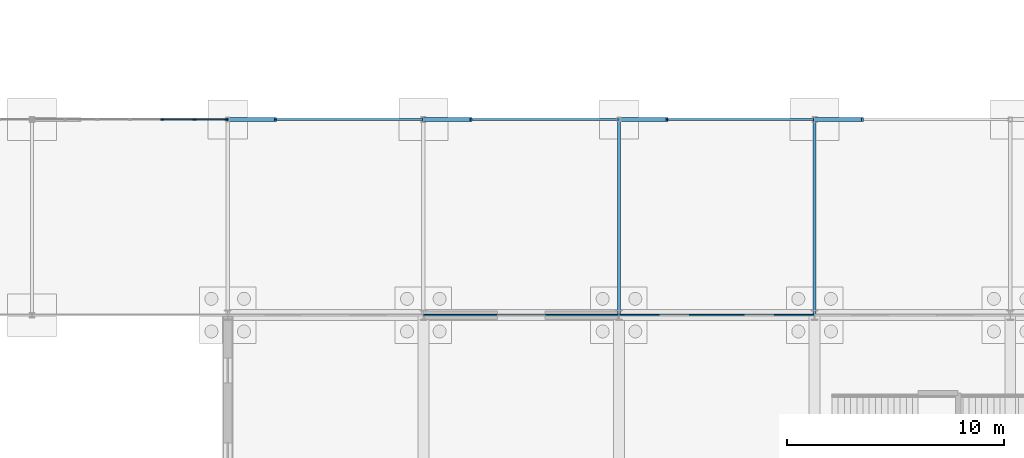
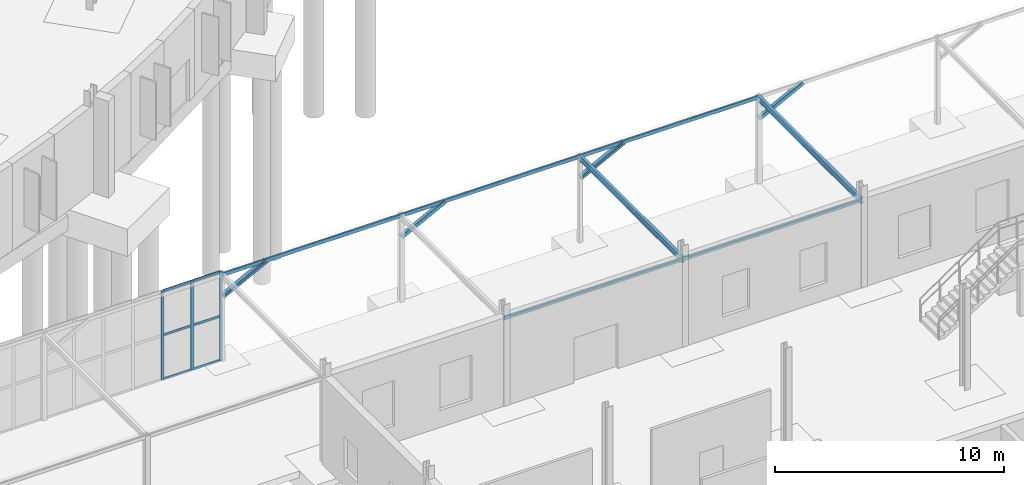
# One storey, part 64 of 118: 13 members, 7 beams, 1 element without a shape of its own.
"""IFC4 building model written with IfcOpenShell, lengths in metres."""

from ifc_helpers import new_model, si_unit, direction, frame, origin, origin_2d, place, context, subcontext, project, spatial, rectangle, hollow_rectangle, i_section, extrude, material, material_profile, profile_set, type_object, element, aggregate, save


model = new_model("IFC4")

# Units and contexts
model_context = context("Model", 3, precision=1e-05, world=origin(), true_north=direction((0.0, 1.0)))
body_context = subcontext(model_context, "Body", "Model", "MODEL_VIEW")
ifc_project = project(units=[si_unit("LENGTHUNIT", "METRE"), si_unit("AREAUNIT", "SQUARE_METRE"), si_unit("VOLUMEUNIT", "CUBIC_METRE"), si_unit("PLANEANGLEUNIT", "RADIAN"), si_unit("MASSUNIT", "GRAM", prefix="KILO")], contexts=[model_context])

# Site, building, storey
site_placement = place(None, origin())
site = spatial("IfcSite", under=ifc_project, at=site_placement, CompositionType="ELEMENT")
building_placement = place(site_placement, origin())
building = spatial("IfcBuilding", under=site, at=building_placement, Name="Kildeholm Park Wholesale Market", CompositionType="ELEMENT")
storey_placement = place(building_placement, origin())
storey = spatial("IfcBuildingStorey", under=building, at=storey_placement, Name="L00", CompositionType="ELEMENT", Elevation=0.0)

# Beams
ifc_material_1 = material(Name="Steel S355", Category="steel")
ifc_material_profile_1 = material_profile(ifc_material_1, i_section(OverallWidth=0.14990234375, OverallDepth=0.300048828125, WebThickness=0.007080078125, FlangeThickness=0.0107421875, FilletRadius=0.014892578125, at=origin_2d()), Name="IPE 300")
ifc_profile_set_1 = profile_set([ifc_material_profile_1], Name="Steel S355")
beam_type_1 = type_object("IfcBeamType", Name="Beam B-C01 IPE 300", PredefinedType="BEAM", material=ifc_profile_set_1)
for number, where, z_axis, x_axis, name in (
    (1, (144.0, 27.0, 4.486083984375), (0.0, 1.0, 0.0), (-1.0, 0.0, 0.0), "Beam BM-V6-TR-144 BM-1821"),
    (2, (153.0, 27.0, 4.486083984375), (0.0, 1.0, 0.0), (-1.0, 0.0, 0.0), "Beam BM-V6-TR-153 BM-1824"),
):
    element("IfcBeam", number, at=place(storey_placement, frame(where, z_axis=z_axis, x_axis=x_axis)), inside=storey, type_object=beam_type_1, Name=name, PredefinedType="BEAM", context=body_context, shape_type="SweptSolid", body=[
        extrude(i_section(OverallWidth=0.14990234375, OverallDepth=0.300048828125, WebThickness=0.007080078125, FlangeThickness=0.0107421875, FilletRadius=0.014892578125, at=origin_2d()), origin(), (0.0, 0.0, 1.0), 9.0),
    ])
ifc_material_profile_2 = material_profile(ifc_material_1, hollow_rectangle(XDim=0.10009765625, YDim=0.199951171875, WallThickness=0.008056640625, InnerFilletRadius=0.008056640625, OuterFilletRadius=0.01611328125, at=origin_2d()), Name="RHS 200x100x8")
ifc_profile_set_2 = profile_set([ifc_material_profile_2], Name="Steel S355")
beam_type_2 = type_object("IfcBeamType", Name="Beam LN-01 RHS 200x100x8", PredefinedType="LINTEL", material=ifc_profile_set_2)
for number, where, z_axis, x_axis, name in (
    (3, (126.0, 36.0, 4.5400390625), (1.0, 0.0, 0.0), (0.0, 1.0, 0.0), "Beam BM-V6-N-126 BM-1817"),
    (4, (135.0, 27.0, 4.5400390625), (1.0, 0.0, 0.0), (0.0, 1.0, 0.0), "Beam BM-V6-S-135 BM-1819"),
    (5, (135.0, 36.0, 4.5400390625), (1.0, 0.0, 0.0), (0.0, 1.0, 0.0), "Beam BM-V6-N-135 BM-1820"),
    (6, (144.0, 27.0, 4.5400390625), (1.0, 0.0, 0.0), (0.0, 1.0, 0.0), "Beam BM-V6-S-144 BM-1822"),
    (7, (144.0, 36.0, 4.5400390625), (1.0, 0.0, 0.0), (0.0, 1.0, 0.0), "Beam BM-V6-N-144 BM-1823"),
):
    element("IfcBeam", number, at=place(storey_placement, frame(where, z_axis=z_axis, x_axis=x_axis)), inside=storey, type_object=beam_type_2, Name=name, PredefinedType="LINTEL", context=body_context, shape_type="SweptSolid", body=[
        extrude(hollow_rectangle(XDim=0.10009765625, YDim=0.199951171875, WallThickness=0.008056640625, InnerFilletRadius=0.008056640625, OuterFilletRadius=0.01611328125, at=origin_2d()), origin(), (0.0, 0.0, 1.0), 9.0),
    ])

# Curtain wall, members
ifc_material_2 = material(Name="Anodised aluminium and low-E double-glazed glass", Category="aluminium")
curtain_wall_type = type_object("IfcCurtainWallType", Name="Public passage glazed screen CW-04", PredefinedType="NOTDEFINED", material=ifc_material_2)
curtain_wall_placement = place(storey_placement, origin())
curtain_wall = element("IfcCurtainWall", 8, at=curtain_wall_placement, inside=storey, type_object=curtain_wall_type, Name="Curtain wall CW-V6-GC-05 CW-0163", PredefinedType="NOTDEFINED")
ifc_material_3 = material(Name="Anodised aluminium", Category="aluminium")
ifc_material_profile_3 = material_profile(ifc_material_3, rectangle(XDim=0.06005859375, YDim=0.14990234375, at=origin_2d()), Name="CWM 60x150")
ifc_profile_set_3 = profile_set([ifc_material_profile_3], Name="Anodised aluminium")
member_type_1 = type_object("IfcMemberType", Name="Curtain-wall mullion CWM-3 CWM 60x150", PredefinedType="MULLION", material=ifc_profile_set_3)
member_1_placement = place(storey_placement, frame((122.986572265625, 36.0, 0.0), z_axis=(0.0, 0.0, 1.0), x_axis=(0.0, 1.0, 0.0)))
member_1 = element("IfcMember", 9, at=member_1_placement, type_object=member_type_1, Name="CW-04 mullion 5 MEM-4944", PredefinedType="MULLION", context=body_context, shape_type="SweptSolid", body=[
    extrude(rectangle(XDim=0.06005859375, YDim=0.14990234375, at=origin_2d()), origin(), (0.0, 0.0, 1.0), 4.75),
])
member_2_placement = place(storey_placement, frame((124.473388671875, 36.0, 0.0), z_axis=(0.0, 0.0, 1.0), x_axis=(0.0, 1.0, 0.0)))
member_2 = element("IfcMember", 10, at=member_2_placement, type_object=member_type_1, Name="CW-04 mullion 6 MEM-4945", PredefinedType="MULLION", context=body_context, shape_type="SweptSolid", body=[
    extrude(rectangle(XDim=0.06005859375, YDim=0.14990234375, at=origin_2d()), origin(), (0.0, 0.0, 1.0), 4.75),
])
member_3_placement = place(storey_placement, frame((125.929931640625, 36.0, 0.0), z_axis=(0.0, 0.0, 1.0), x_axis=(0.0, 1.0, 0.0)))
member_3 = element("IfcMember", 11, at=member_3_placement, type_object=member_type_1, Name="CW-04 mullion 7 MEM-4946", PredefinedType="MULLION", context=body_context, shape_type="SweptSolid", body=[
    extrude(rectangle(XDim=0.06005859375, YDim=0.14990234375, at=origin_2d()), origin(), (0.0, 0.0, 1.0), 4.75),
])
ifc_material_profile_4 = material_profile(ifc_material_3, rectangle(XDim=0.06005859375, YDim=0.1201171875, at=origin_2d()), Name="CWT 60x120")
ifc_profile_set_4 = profile_set([ifc_material_profile_4], Name="Anodised aluminium")
member_type_2 = type_object("IfcMemberType", Name="Curtain-wall transom CWT-3 CWT 60x120", PredefinedType="USERDEFINED", material=ifc_profile_set_4)
member_4_placement = place(storey_placement, frame((123.0166015625, 36.0, 0.030029296875), z_axis=(1.0, 0.0, 0.0), x_axis=(0.0, 1.0, 0.0)))
member_4 = element("IfcMember", 12, at=member_4_placement, type_object=member_type_2, Name="CW-04 transom 5.1 MEM-4959", ObjectType="TRANSOM", PredefinedType="USERDEFINED", context=body_context, shape_type="SweptSolid", body=[
    extrude(rectangle(XDim=0.06005859375, YDim=0.1201171875, at=origin_2d()), origin(), (0.0, 0.0, 1.0), 1.4267578125),
])
member_5_placement = place(storey_placement, frame((123.0166015625, 36.0, 2.375), z_axis=(1.0, 0.0, 0.0), x_axis=(0.0, 1.0, 0.0)))
member_5 = element("IfcMember", 13, at=member_5_placement, type_object=member_type_2, Name="CW-04 transom 5.2 MEM-4960", ObjectType="TRANSOM", PredefinedType="USERDEFINED", context=body_context, shape_type="SweptSolid", body=[
    extrude(rectangle(XDim=0.06005859375, YDim=0.1201171875, at=origin_2d()), origin(), (0.0, 0.0, 1.0), 1.4267578125),
])
member_6_placement = place(storey_placement, frame((123.0166015625, 36.0, 4.719970703125), z_axis=(1.0, 0.0, 0.0), x_axis=(0.0, 1.0, 0.0)))
member_6 = element("IfcMember", 14, at=member_6_placement, type_object=member_type_2, Name="CW-04 transom 5.3 MEM-4961", ObjectType="TRANSOM", PredefinedType="USERDEFINED", context=body_context, shape_type="SweptSolid", body=[
    extrude(rectangle(XDim=0.06005859375, YDim=0.1201171875, at=origin_2d()), origin(), (0.0, 0.0, 1.0), 1.4267578125),
])
member_7_placement = place(storey_placement, frame((124.50341796875, 36.0, 0.030029296875), z_axis=(1.0, 0.0, 0.0), x_axis=(0.0, 1.0, 0.0)))
member_7 = element("IfcMember", 15, at=member_7_placement, type_object=member_type_2, Name="CW-04 transom 6.1 MEM-4962", ObjectType="TRANSOM", PredefinedType="USERDEFINED", context=body_context, shape_type="SweptSolid", body=[
    extrude(rectangle(XDim=0.06005859375, YDim=0.1201171875, at=origin_2d()), origin(), (0.0, 0.0, 1.0), 1.396484375),
])
member_8_placement = place(storey_placement, frame((124.50341796875, 36.0, 2.375), z_axis=(1.0, 0.0, 0.0), x_axis=(0.0, 1.0, 0.0)))
member_8 = element("IfcMember", 16, at=member_8_placement, type_object=member_type_2, Name="CW-04 transom 6.2 MEM-4963", ObjectType="TRANSOM", PredefinedType="USERDEFINED", context=body_context, shape_type="SweptSolid", body=[
    extrude(rectangle(XDim=0.06005859375, YDim=0.1201171875, at=origin_2d()), origin(), (0.0, 0.0, 1.0), 1.396484375),
])
member_9_placement = place(storey_placement, frame((124.50341796875, 36.0, 4.719970703125), z_axis=(1.0, 0.0, 0.0), x_axis=(0.0, 1.0, 0.0)))
member_9 = element("IfcMember", 17, at=member_9_placement, type_object=member_type_2, Name="CW-04 transom 6.3 MEM-4964", ObjectType="TRANSOM", PredefinedType="USERDEFINED", context=body_context, shape_type="SweptSolid", body=[
    extrude(rectangle(XDim=0.06005859375, YDim=0.1201171875, at=origin_2d()), origin(), (0.0, 0.0, 1.0), 1.396484375),
])
aggregate(curtain_wall, [member_1, member_2, member_3, member_4, member_5, member_6, member_7, member_8, member_9])

# Members
ifc_material_profile_5 = material_profile(ifc_material_1, i_section(OverallWidth=0.199951171875, OverallDepth=0.199951171875, WebThickness=0.009033203125, FlangeThickness=0.014892578125, FilletRadius=0.01806640625, at=origin_2d()), Name="HEB 200")
ifc_profile_set_5 = profile_set([ifc_material_profile_5], Name="Steel S355")
member_type_3 = type_object("IfcMemberType", Name="Member PT-01 HEB 200", PredefinedType="POST", material=ifc_profile_set_5)
for number, where, z_axis, x_axis, name in (
    (18, (126.0, 36.0, 3.39990234375), (0.887849952902, 0.0, 0.460133090673), (0.0, 1.0, 0.0), "Member PT-V6-126 MEM-0387"),
    (19, (144.0, 36.0, 3.39990234375), (0.887849952902, 0.0, 0.460133090673), (0.0, 1.0, 0.0), "Member PT-V6-144 MEM-0389"),
):
    element("IfcMember", number, at=place(storey_placement, frame(where, z_axis=z_axis, x_axis=x_axis)), inside=storey, type_object=member_type_3, Name=name, PredefinedType="POST", context=body_context, shape_type="SweptSolid", body=[
        extrude(i_section(OverallWidth=0.199951171875, OverallDepth=0.199951171875, WebThickness=0.009033203125, FlangeThickness=0.014892578125, FilletRadius=0.01806640625, at=origin_2d()), origin(), (0.0, 0.0, 1.0), 2.477783203125),
    ])
ifc_material_profile_6 = material_profile(ifc_material_1, hollow_rectangle(XDim=0.199951171875, YDim=0.199951171875, WallThickness=0.012451171875, InnerFilletRadius=0.012451171875, OuterFilletRadius=0.02490234375, at=origin_2d()), Name="SHS 200x200x12.5")
ifc_profile_set_6 = profile_set([ifc_material_profile_6], Name="Steel S355")
member_type_4 = type_object("IfcMemberType", Name="Member PT-02 SHS 200x200x12.5", PredefinedType="POST", material=ifc_profile_set_6)
for number, where, z_axis, x_axis, name in (
    (20, (135.0, 36.0, 3.39990234375), (0.887849952902, 0.0, 0.460133090673), (0.0, 1.0, 0.0), "Member PT-V6-135 MEM-0388"),
    (21, (153.0, 36.0, 3.39990234375), (0.887849952902, 0.0, 0.460133090673), (0.0, 1.0, 0.0), "Member PT-V6-153 MEM-0390"),
):
    element("IfcMember", number, at=place(storey_placement, frame(where, z_axis=z_axis, x_axis=x_axis)), inside=storey, type_object=member_type_4, Name=name, PredefinedType="POST", context=body_context, shape_type="SweptSolid", body=[
        extrude(hollow_rectangle(XDim=0.199951171875, YDim=0.199951171875, WallThickness=0.012451171875, InnerFilletRadius=0.012451171875, OuterFilletRadius=0.02490234375, at=origin_2d()), origin(), (0.0, 0.0, 1.0), 2.477783203125),
    ])

save(model, "model.ifc")
